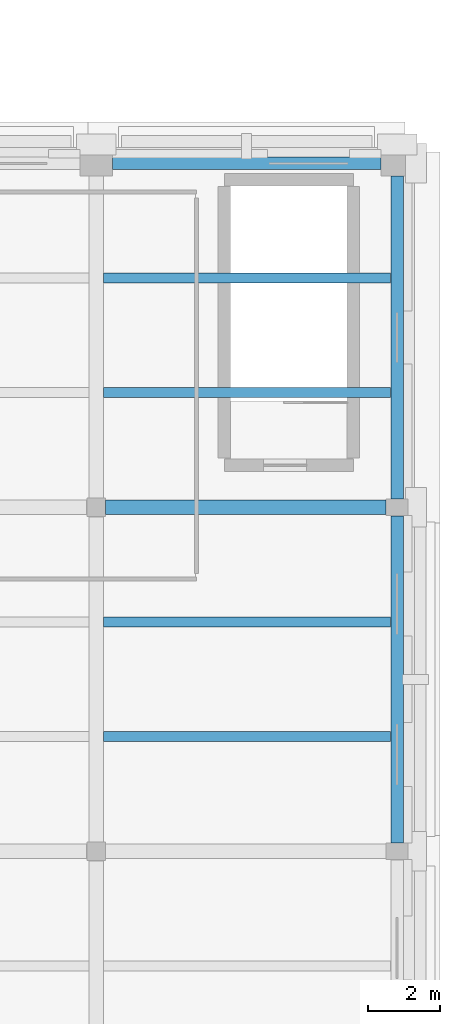
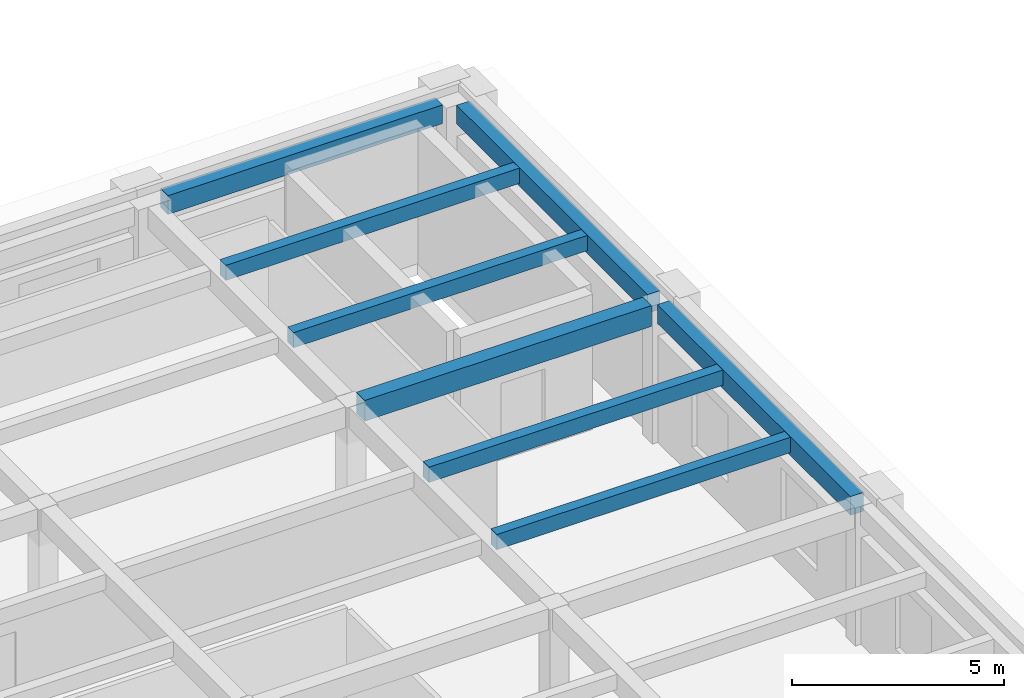
# One storey, part 29 of 62: 8 beams.
"""IFC4 building model written with IfcOpenShell, lengths in metres."""

from ifc_helpers import new_model, si_unit, direction, frame, origin, origin_2d, place, context, subcontext, project, spatial, rectangle, extrude, material, material_profile, profile_set, type_object, element, save


model = new_model("IFC4")

# Units and contexts
model_context = context("Model", 3, precision=1e-05, world=origin(), true_north=direction((0.0, 1.0)))
body_context = subcontext(model_context, "Body", "Model", "MODEL_VIEW")
ifc_project = project(units=[si_unit("LENGTHUNIT", "METRE"), si_unit("AREAUNIT", "SQUARE_METRE"), si_unit("VOLUMEUNIT", "CUBIC_METRE"), si_unit("PLANEANGLEUNIT", "RADIAN"), si_unit("MASSUNIT", "GRAM", prefix="KILO")], contexts=[model_context])

# Site, building, storey
site_placement = place(None, origin())
site = spatial("IfcSite", under=ifc_project, at=site_placement, CompositionType="ELEMENT")
building_placement = place(site_placement, origin())
building = spatial("IfcBuilding", under=site, at=building_placement, Name="Bempovik Park Faculty of Sciences", CompositionType="ELEMENT")
storey_placement = place(building_placement, frame((0.0, 0.0, 9.89990234375)))
storey = spatial("IfcBuildingStorey", under=building, at=storey_placement, Name="L02", CompositionType="ELEMENT", Elevation=9.89990234375)

# Beams
ifc_material = material(Name="Concrete C35/45", Category="concrete")
ifc_material_profile_1 = material_profile(ifc_material, rectangle(XDim=0.39990234375, YDim=0.60009765625, at=origin_2d()), Name="RC 400x600")
ifc_profile_set_1 = profile_set([ifc_material_profile_1], Name="Concrete C35/45")
beam_type_1 = type_object("IfcBeamType", Name="B-020 RC 400x600", PredefinedType="BEAM", material=ifc_profile_set_1)
beam_1_placement = place(storey_placement, frame((162.26611328125, 77.39990234375, 3.68017578125), z_axis=(1.0, 0.0, 0.0), x_axis=(0.0, 1.0, 0.0)))
element("IfcBeam", 1, at=beam_1_placement, inside=storey, type_object=beam_type_1, Name="L02 Beam X (162.0-170.4, y=77.4)", PredefinedType="BEAM", context=body_context, shape_type="SweptSolid", body=[
    extrude(rectangle(XDim=0.39990234375, YDim=0.60009765625, at=origin_2d()), origin(), (0.0, 0.0, 1.0), 7.81787109375),
])
ifc_material_profile_2 = material_profile(ifc_material, rectangle(XDim=0.35009765625, YDim=0.5400390625, at=origin_2d()), Name="RC 350x540")
ifc_profile_set_2 = profile_set([ifc_material_profile_2], Name="Concrete C35/45")
beam_type_2 = type_object("IfcBeamType", Name="B-059 RC 350x540", PredefinedType="SPANDREL", material=ifc_profile_set_2)
beam_2_placement = place(storey_placement, frame((162.4560546875, 87.0, 3.710205078125), z_axis=(1.0, 0.0, 0.0), x_axis=(0.0, 1.0, 0.0)))
element("IfcBeam", 2, at=beam_2_placement, inside=storey, type_object=beam_type_2, Name="L02 Beam X (162.0-170.4, y=87.0)", PredefinedType="SPANDREL", context=body_context, shape_type="SweptSolid", body=[
    extrude(rectangle(XDim=0.35009765625, YDim=0.5400390625, at=origin_2d()), origin(), (0.0, 0.0, 1.0), 7.488037109375),
])
beam_3_placement = place(storey_placement, frame((170.39990234375, 68.035888671875, 3.710205078125), z_axis=(0.0, 1.0, 0.0), x_axis=(-1.0, 0.0, 0.0)))
element("IfcBeam", 3, at=beam_3_placement, inside=storey, type_object=beam_type_2, Name="L02 Beam Y (x=170.4, 67.8-77.4)", PredefinedType="SPANDREL", context=body_context, shape_type="SweptSolid", body=[
    extrude(rectangle(XDim=0.35009765625, YDim=0.5400390625, at=origin_2d()), origin(), (0.0, 0.0, 1.0), 9.128173828125),
])
beam_4_placement = place(storey_placement, frame((170.39990234375, 77.635986328125, 3.710205078125), z_axis=(0.0, 1.0, 0.0), x_axis=(-1.0, 0.0, 0.0)))
element("IfcBeam", 4, at=beam_4_placement, inside=storey, type_object=beam_type_2, Name="L02 Beam Y (x=170.4, 77.4-87.0)", PredefinedType="SPANDREL", context=body_context, shape_type="SweptSolid", body=[
    extrude(rectangle(XDim=0.35009765625, YDim=0.5400390625, at=origin_2d()), origin(), (0.0, 0.0, 1.0), 9.008056640625),
])
ifc_material_profile_3 = material_profile(ifc_material, rectangle(XDim=0.280029296875, YDim=0.43994140625, at=origin_2d()), Name="RC 280x440")
ifc_profile_set_3 = profile_set([ifc_material_profile_3], Name="Concrete C35/45")
beam_type_3 = type_object("IfcBeamType", Name="B-076 RC 280x440", PredefinedType="JOIST", material=ifc_profile_set_3)
for number, where, z_axis, x_axis, name in (
    (5, (162.2060546875, 71.0, 3.760009765625), (1.0, 0.0, 0.0), (0.0, 1.0, 0.0), "L02 Secondary Joist (162.0-170.4, y=71.00)"),
    (6, (162.2060546875, 74.199951171875, 3.760009765625), (1.0, 0.0, 0.0), (0.0, 1.0, 0.0), "L02 Secondary Joist (162.0-170.4, y=74.20)"),
    (7, (162.2060546875, 80.60009765625, 3.760009765625), (1.0, 0.0, 0.0), (0.0, 1.0, 0.0), "L02 Secondary Joist (162.0-170.4, y=80.60)"),
    (8, (162.2060546875, 83.800048828125, 3.760009765625), (1.0, 0.0, 0.0), (0.0, 1.0, 0.0), "L02 Secondary Joist (162.0-170.4, y=83.80)"),
):
    element("IfcBeam", number, at=place(storey_placement, frame(where, z_axis=z_axis, x_axis=x_axis)), inside=storey, type_object=beam_type_3, Name=name, PredefinedType="JOIST", context=body_context, shape_type="SweptSolid", body=[
        extrude(rectangle(XDim=0.280029296875, YDim=0.43994140625, at=origin_2d()), origin(), (0.0, 0.0, 1.0), 8.012939453125),
    ])

save(model, "model.ifc")
